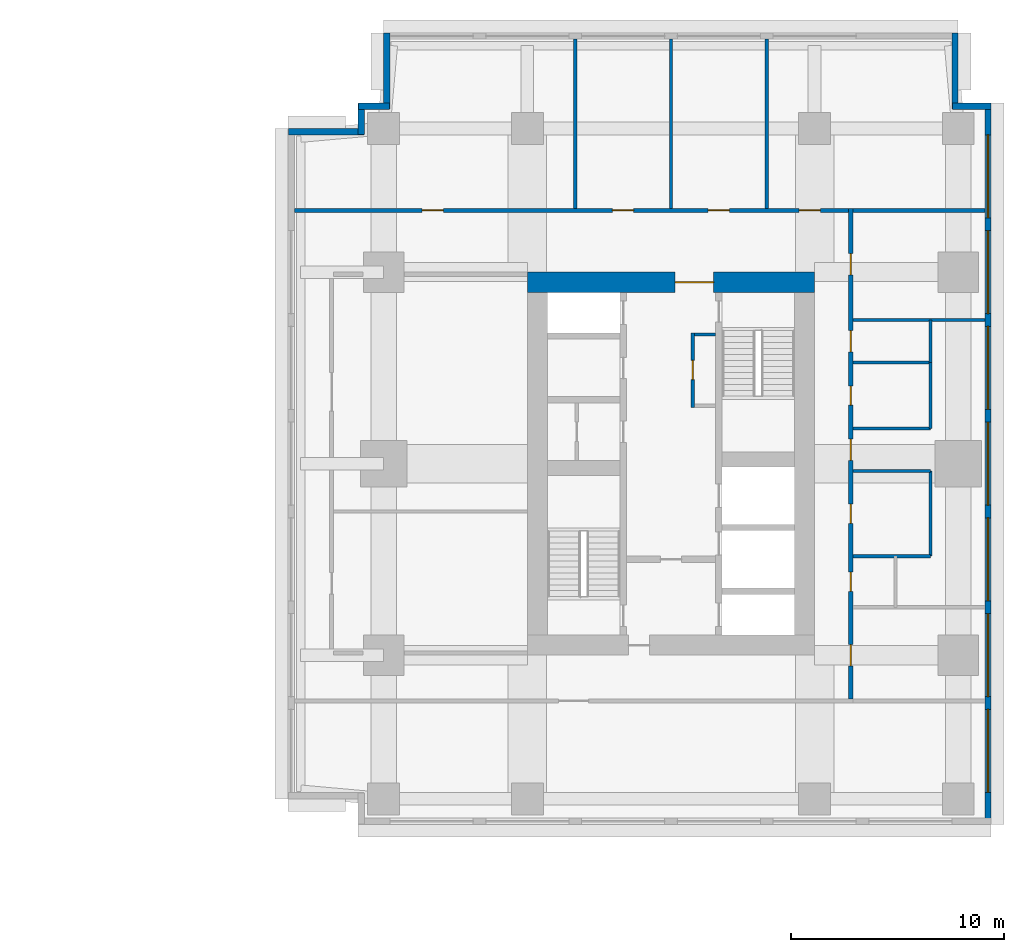
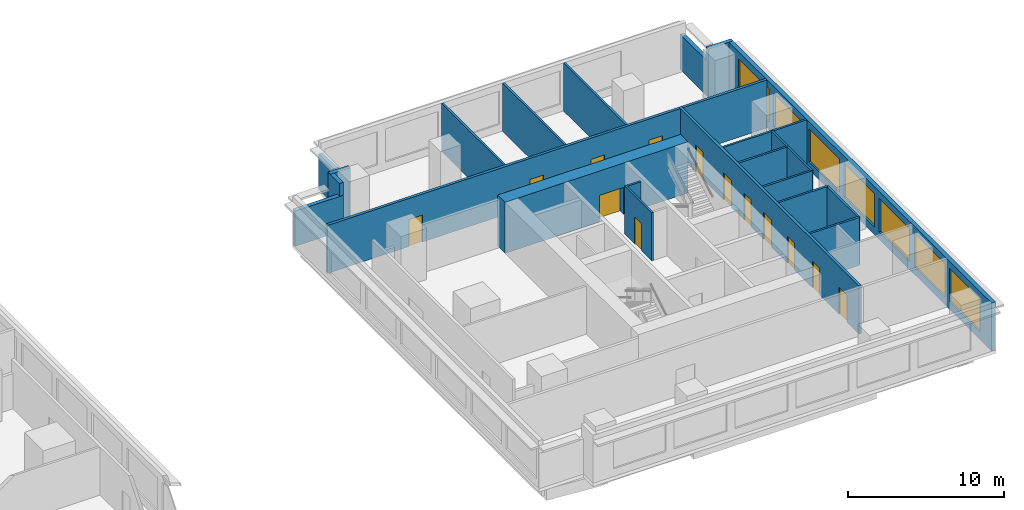
# One storey, part 7 of 10: 24 walls, 13 doors, 7 windows, 20 openings.
"""IFC4 building model written with IfcOpenShell, lengths in metres."""

from ifc_helpers import new_model, si_unit, direction, frame, frame_2d, origin, place, context, subcontext, project, spatial, rectangle, extrude, material, layer, layer_set, type_object, element, fill, save


model = new_model("IFC4")

# Units and contexts
model_context = context("Model", 3, precision=1e-05, world=origin(), true_north=direction((0.0, 1.0)))
body_context = subcontext(model_context, "Body", "Model", "MODEL_VIEW")
ifc_project = project(units=[si_unit("LENGTHUNIT", "METRE"), si_unit("AREAUNIT", "SQUARE_METRE"), si_unit("VOLUMEUNIT", "CUBIC_METRE"), si_unit("PLANEANGLEUNIT", "RADIAN"), si_unit("MASSUNIT", "GRAM", prefix="KILO")], contexts=[model_context])

# Site, building, storey
site_placement = place(None, origin())
site = spatial("IfcSite", under=ifc_project, at=site_placement, CompositionType="ELEMENT")
building_placement = place(site_placement, origin())
building = spatial("IfcBuilding", under=site, at=building_placement, Name="Namib Vertical Campus", CompositionType="ELEMENT")
storey_placement = place(building_placement, frame((0.0, 0.0, 165.0)))
storey = spatial("IfcBuildingStorey", under=building, at=storey_placement, Name="L39", CompositionType="ELEMENT", Elevation=165.0)

# Wall, opening, door
ifc_material_1 = material(Name="Concrete C60/75", Category="concrete")
ifc_layer_1 = layer(ifc_material_1, 0.949951171875)
ifc_layer_set_1 = layer_set([ifc_layer_1], Name="Concrete C60/75")
wall_type_1 = type_object("IfcWallType", Name="Core wall 950", PredefinedType="SHEAR", material=ifc_layer_set_1)
wall_1_placement = place(storey_placement, frame((87.75, 28.77490234375, 0.0), z_axis=(0.0, 0.0, 1.0), x_axis=(-1.0, 0.0, 0.0)))
wall_1 = element("IfcWall", 1, at=wall_1_placement, inside=storey, type_object=wall_type_1, Name="Core wall B L39 3", PredefinedType="SHEAR", context=body_context, shape_type="SweptSolid", body=[
    extrude(rectangle(XDim=13.5, YDim=0.949951171875, at=frame_2d((6.75, 0.0))), origin(), (0.0, 0.0, 1.0), 4.0),
])
opening_1_placement = place(wall_1_placement, frame((4.75, 0.0, 0.0)))
opening_1 = element("IfcOpeningElement", 2, at=opening_1_placement, cuts=wall_1, Name="Opening FD2", PredefinedType="OPENING", context=body_context, shape_type="SweptSolid", body=[
    extrude(rectangle(XDim=1.800048828125, YDim=2.10009765625, at=frame_2d((0.89990234375, 1.050048828125))), frame((0.0, 0.48486328125, 0.0), z_axis=(0.0, -1.0, 0.0), x_axis=(1.0, 0.0, 0.0)), (0.0, 0.0, 1.0), 0.969970703125),
])
ifc_material_2 = material(Name="Steel fire door", Category="steel")
door_type_1 = type_object("IfcDoorType", Name="Fire door double 1800x2100", OperationType="DOUBLE_DOOR_SINGLE_SWING", PredefinedType="DOOR", material=ifc_material_2)
door_1_placement = place(opening_1_placement, origin())
door_1 = element("IfcDoor", 3, at=door_1_placement, inside=storey, type_object=door_type_1, Name="Lift lobby door FD2 B L39", OperationType="DOUBLE_DOOR_SINGLE_SWING", OverallHeight=2.10009765625, OverallWidth=1.800048828125, PredefinedType="DOOR", context=body_context, shape_type="SweptSolid", body=[
    extrude(rectangle(XDim=1.800048828125, YDim=2.10009765625, at=frame_2d((0.89990234375, 1.050048828125))), frame((0.0, 0.02490234375, 0.0), z_axis=(0.0, -1.0, 0.0), x_axis=(1.0, 0.0, 0.0)), (0.0, 0.0, 1.0), 0.050048828125),
])
fill(opening_1, door_1)

# Wall, openings, doors
ifc_material_3 = material(Name="Concrete masonry", Category="masonry")
ifc_layer_2 = layer(ifc_material_3, 0.199951171875)
ifc_layer_set_2 = layer_set([ifc_layer_2], Name="Corridor wall 200")
wall_type_2 = type_object("IfcWallType", Name="Corridor wall 200", PredefinedType="SOLIDWALL", material=ifc_layer_set_2)
wall_2_placement = place(storey_placement, frame((89.449951171875, 9.199951171875, 0.0), z_axis=(0.0, 0.0, 1.0), x_axis=(0.0, 1.0, 0.0)))
wall_2 = element("IfcWall", 4, at=wall_2_placement, inside=storey, type_object=wall_type_2, Name="Corridor wall B L39 CE", PredefinedType="SOLIDWALL", context=body_context, shape_type="SweptSolid", body=[
    extrude(rectangle(XDim=23.050048828125, YDim=0.199951171875, at=frame_2d((11.52490234375, 0.0))), origin(), (0.0, 0.0, 1.0), 3.75),
])
opening_2_placement = place(wall_2_placement, frame((1.550048828125, 0.0, 0.0)))
opening_2 = element("IfcOpeningElement", 5, at=opening_2_placement, cuts=wall_2, Name="Opening CD1", PredefinedType="OPENING", context=body_context, shape_type="SweptSolid", body=[
    extrude(rectangle(XDim=1.0, YDim=2.10009765625, at=frame_2d((0.5, 1.050048828125))), frame((0.0, 0.10986328125, 0.0), z_axis=(0.0, -1.0, 0.0), x_axis=(1.0, 0.0, 0.0)), (0.0, 0.0, 1.0), 0.219970703125),
])
opening_3_placement = place(wall_2_placement, frame((5.050048828125, 0.0, 0.0)))
opening_3 = element("IfcOpeningElement", 6, at=opening_3_placement, cuts=wall_2, Name="Opening CD3", PredefinedType="OPENING", context=body_context, shape_type="SweptSolid", body=[
    extrude(rectangle(XDim=0.89990234375, YDim=2.10009765625, at=frame_2d((0.449951171875, 1.050048828125))), frame((0.0, 0.10986328125, 0.0), z_axis=(0.0, -1.0, 0.0), x_axis=(1.0, 0.0, 0.0)), (0.0, 0.0, 1.0), 0.219970703125),
])
opening_4_placement = place(wall_2_placement, frame((8.25, 0.0, 0.0)))
opening_4 = element("IfcOpeningElement", 7, at=opening_4_placement, cuts=wall_2, Name="Opening CD3", PredefinedType="OPENING", context=body_context, shape_type="SweptSolid", body=[
    extrude(rectangle(XDim=0.89990234375, YDim=2.10009765625, at=frame_2d((0.449951171875, 1.050048828125))), frame((0.0, 0.10986328125, 0.0), z_axis=(0.0, -1.0, 0.0), x_axis=(1.0, 0.0, 0.0)), (0.0, 0.0, 1.0), 0.219970703125),
])
opening_5_placement = place(wall_2_placement, frame((13.800048828125, 0.0, 0.0)))
opening_5 = element("IfcOpeningElement", 8, at=opening_5_placement, cuts=wall_2, Name="Opening CD3", PredefinedType="OPENING", context=body_context, shape_type="SweptSolid", body=[
    extrude(rectangle(XDim=0.89990234375, YDim=2.10009765625, at=frame_2d((0.449951171875, 1.050048828125))), frame((0.0, 0.10986328125, 0.0), z_axis=(0.0, -1.0, 0.0), x_axis=(1.0, 0.0, 0.0)), (0.0, 0.0, 1.0), 0.219970703125),
])
opening_6_placement = place(wall_2_placement, frame((16.300048828125, 0.0, 0.0)))
opening_6 = element("IfcOpeningElement", 9, at=opening_6_placement, cuts=wall_2, Name="Opening CD1", PredefinedType="OPENING", context=body_context, shape_type="SweptSolid", body=[
    extrude(rectangle(XDim=1.0, YDim=2.10009765625, at=frame_2d((0.5, 1.050048828125))), frame((0.0, 0.10986328125, 0.0), z_axis=(0.0, -1.0, 0.0), x_axis=(1.0, 0.0, 0.0)), (0.0, 0.0, 1.0), 0.219970703125),
])
opening_7_placement = place(wall_2_placement, frame((11.199951171875, 0.0, 0.0)))
opening_7 = element("IfcOpeningElement", 10, at=opening_7_placement, cuts=wall_2, Name="Opening CD1", PredefinedType="OPENING", context=body_context, shape_type="SweptSolid", body=[
    extrude(rectangle(XDim=1.0, YDim=2.10009765625, at=frame_2d((0.5, 1.050048828125))), frame((0.0, 0.10986328125, 0.0), z_axis=(0.0, -1.0, 0.0), x_axis=(1.0, 0.0, 0.0)), (0.0, 0.0, 1.0), 0.219970703125),
])
opening_8_placement = place(wall_2_placement, frame((19.925048828125, 0.0, 0.0)))
opening_8 = element("IfcOpeningElement", 11, at=opening_8_placement, cuts=wall_2, Name="Opening CD1", PredefinedType="OPENING", context=body_context, shape_type="SweptSolid", body=[
    extrude(rectangle(XDim=1.0, YDim=2.10009765625, at=frame_2d((0.5, 1.050048828125))), frame((0.0, 0.10986328125, 0.0), z_axis=(0.0, -1.0, 0.0), x_axis=(1.0, 0.0, 0.0)), (0.0, 0.0, 1.0), 0.219970703125),
])
ifc_material_4 = material(Name="Timber fire door leaf", Category="wood")
door_type_2 = type_object("IfcDoorType", Name="Corridor door 1000x2100 20 min", OperationType="SINGLE_SWING_LEFT", PredefinedType="DOOR", material=ifc_material_4)
door_2_placement = place(opening_2_placement, frame((1.0, 0.0, 0.0), z_axis=(0.0, 0.0, 1.0), x_axis=(-1.0, 0.0, 0.0)))
door_2 = element("IfcDoor", 12, at=door_2_placement, inside=storey, type_object=door_type_2, Name="Door CD1 B39-02", OperationType="SINGLE_SWING_RIGHT", OverallHeight=2.10009765625, OverallWidth=1.0, PredefinedType="DOOR", context=body_context, shape_type="SweptSolid", body=[
    extrude(rectangle(XDim=1.0, YDim=2.10009765625, at=frame_2d((0.5, 1.050048828125))), frame((0.0, 0.02490234375, 0.0), z_axis=(0.0, -1.0, 0.0), x_axis=(1.0, 0.0, 0.0)), (0.0, 0.0, 1.0), 0.050048828125),
])
fill(opening_2, door_2)
door_3_placement = place(opening_6_placement, frame((1.0, 0.0, 0.0), z_axis=(0.0, 0.0, 1.0), x_axis=(-1.0, 0.0, 0.0)))
door_3 = element("IfcDoor", 13, at=door_3_placement, inside=storey, type_object=door_type_2, Name="Door CD1 B39-06", OperationType="SINGLE_SWING_RIGHT", OverallHeight=2.10009765625, OverallWidth=1.0, PredefinedType="DOOR", context=body_context, shape_type="SweptSolid", body=[
    extrude(rectangle(XDim=1.0, YDim=2.10009765625, at=frame_2d((0.5, 1.050048828125))), frame((0.0, 0.02490234375, 0.0), z_axis=(0.0, -1.0, 0.0), x_axis=(1.0, 0.0, 0.0)), (0.0, 0.0, 1.0), 0.050048828125),
])
fill(opening_6, door_3)
door_4_placement = place(opening_7_placement, frame((1.0, 0.0, 0.0), z_axis=(0.0, 0.0, 1.0), x_axis=(-1.0, 0.0, 0.0)))
door_4 = element("IfcDoor", 14, at=door_4_placement, inside=storey, type_object=door_type_2, Name="Door CD1 B39-07", OperationType="SINGLE_SWING_RIGHT", OverallHeight=2.10009765625, OverallWidth=1.0, PredefinedType="DOOR", context=body_context, shape_type="SweptSolid", body=[
    extrude(rectangle(XDim=1.0, YDim=2.10009765625, at=frame_2d((0.5, 1.050048828125))), frame((0.0, 0.02490234375, 0.0), z_axis=(0.0, -1.0, 0.0), x_axis=(1.0, 0.0, 0.0)), (0.0, 0.0, 1.0), 0.050048828125),
])
fill(opening_7, door_4)
door_5_placement = place(opening_8_placement, frame((1.0, 0.0, 0.0), z_axis=(0.0, 0.0, 1.0), x_axis=(-1.0, 0.0, 0.0)))
door_5 = element("IfcDoor", 15, at=door_5_placement, inside=storey, type_object=door_type_2, Name="Door CD1 B39-08", OperationType="SINGLE_SWING_RIGHT", OverallHeight=2.10009765625, OverallWidth=1.0, PredefinedType="DOOR", context=body_context, shape_type="SweptSolid", body=[
    extrude(rectangle(XDim=1.0, YDim=2.10009765625, at=frame_2d((0.5, 1.050048828125))), frame((0.0, 0.02490234375, 0.0), z_axis=(0.0, -1.0, 0.0), x_axis=(1.0, 0.0, 0.0)), (0.0, 0.0, 1.0), 0.050048828125),
])
fill(opening_8, door_5)
ifc_material_5 = material(Name="Timber fire door leaf", Category="wood")
door_type_3 = type_object("IfcDoorType", Name="Corridor toilet door 900x2100 20 min", OperationType="SINGLE_SWING_LEFT", PredefinedType="DOOR", material=ifc_material_5)
door_6_placement = place(opening_3_placement, frame((0.89990234375, 0.0, 0.0), z_axis=(0.0, 0.0, 1.0), x_axis=(-1.0, 0.0, 0.0)))
door_6 = element("IfcDoor", 16, at=door_6_placement, inside=storey, type_object=door_type_3, Name="Door CD3 B39-03", OperationType="SINGLE_SWING_RIGHT", OverallHeight=2.10009765625, OverallWidth=0.89990234375, PredefinedType="DOOR", context=body_context, shape_type="SweptSolid", body=[
    extrude(rectangle(XDim=0.89990234375, YDim=2.10009765625, at=frame_2d((0.449951171875, 1.050048828125))), frame((0.0, 0.02490234375, 0.0), z_axis=(0.0, -1.0, 0.0), x_axis=(1.0, 0.0, 0.0)), (0.0, 0.0, 1.0), 0.050048828125),
])
fill(opening_3, door_6)
door_7_placement = place(opening_4_placement, frame((0.89990234375, 0.0, 0.0), z_axis=(0.0, 0.0, 1.0), x_axis=(-1.0, 0.0, 0.0)))
door_7 = element("IfcDoor", 17, at=door_7_placement, inside=storey, type_object=door_type_3, Name="Door CD3 B39-04", OperationType="SINGLE_SWING_RIGHT", OverallHeight=2.10009765625, OverallWidth=0.89990234375, PredefinedType="DOOR", context=body_context, shape_type="SweptSolid", body=[
    extrude(rectangle(XDim=0.89990234375, YDim=2.10009765625, at=frame_2d((0.449951171875, 1.050048828125))), frame((0.0, 0.02490234375, 0.0), z_axis=(0.0, -1.0, 0.0), x_axis=(1.0, 0.0, 0.0)), (0.0, 0.0, 1.0), 0.050048828125),
])
fill(opening_4, door_7)
door_8_placement = place(opening_5_placement, frame((0.89990234375, 0.0, 0.0), z_axis=(0.0, 0.0, 1.0), x_axis=(-1.0, 0.0, 0.0)))
door_8 = element("IfcDoor", 18, at=door_8_placement, inside=storey, type_object=door_type_3, Name="Door CD3 B39-05", OperationType="SINGLE_SWING_RIGHT", OverallHeight=2.10009765625, OverallWidth=0.89990234375, PredefinedType="DOOR", context=body_context, shape_type="SweptSolid", body=[
    extrude(rectangle(XDim=0.89990234375, YDim=2.10009765625, at=frame_2d((0.449951171875, 1.050048828125))), frame((0.0, 0.02490234375, 0.0), z_axis=(0.0, -1.0, 0.0), x_axis=(1.0, 0.0, 0.0)), (0.0, 0.0, 1.0), 0.050048828125),
])
fill(opening_5, door_8)

wall_3_placement = place(storey_placement, frame((89.35009765625, 32.14990234375, 0.0), z_axis=(0.0, 0.0, 1.0), x_axis=(-1.0, 0.0, 0.0)))
wall_3 = element("IfcWall", 19, at=wall_3_placement, inside=storey, type_object=wall_type_2, Name="Corridor wall B L39 CN", PredefinedType="SOLIDWALL", context=body_context, shape_type="SweptSolid", body=[
    extrude(rectangle(XDim=26.050048828125, YDim=0.199951171875, at=frame_2d((13.02490234375, 0.0))), origin(), (0.0, 0.0, 1.0), 3.75),
])
opening_9_placement = place(wall_3_placement, frame((19.050048828125, 0.0, 0.0)))
opening_9 = element("IfcOpeningElement", 20, at=opening_9_placement, cuts=wall_3, Name="Opening CD1", PredefinedType="OPENING", context=body_context, shape_type="SweptSolid", body=[
    extrude(rectangle(XDim=1.0, YDim=2.10009765625, at=frame_2d((0.5, 1.050048828125))), frame((0.0, 0.10986328125, 0.0), z_axis=(0.0, -1.0, 0.0), x_axis=(1.0, 0.0, 0.0)), (0.0, 0.0, 1.0), 0.219970703125),
])
opening_10_placement = place(wall_3_placement, frame((10.10009765625, 0.0, 0.0)))
opening_10 = element("IfcOpeningElement", 21, at=opening_10_placement, cuts=wall_3, Name="Opening CD1", PredefinedType="OPENING", context=body_context, shape_type="SweptSolid", body=[
    extrude(rectangle(XDim=1.0, YDim=2.10009765625, at=frame_2d((0.5, 1.050048828125))), frame((0.0, 0.10986328125, 0.0), z_axis=(0.0, -1.0, 0.0), x_axis=(1.0, 0.0, 0.0)), (0.0, 0.0, 1.0), 0.219970703125),
])
opening_11_placement = place(wall_3_placement, frame((5.60009765625, 0.0, 0.0)))
opening_11 = element("IfcOpeningElement", 22, at=opening_11_placement, cuts=wall_3, Name="Opening CD1", PredefinedType="OPENING", context=body_context, shape_type="SweptSolid", body=[
    extrude(rectangle(XDim=1.0, YDim=2.10009765625, at=frame_2d((0.5, 1.050048828125))), frame((0.0, 0.10986328125, 0.0), z_axis=(0.0, -1.0, 0.0), x_axis=(1.0, 0.0, 0.0)), (0.0, 0.0, 1.0), 0.219970703125),
])
opening_12_placement = place(wall_3_placement, frame((1.324951171875, 0.0, 0.0)))
opening_12 = element("IfcOpeningElement", 23, at=opening_12_placement, cuts=wall_3, Name="Opening CD1", PredefinedType="OPENING", context=body_context, shape_type="SweptSolid", body=[
    extrude(rectangle(XDim=1.0, YDim=2.10009765625, at=frame_2d((0.5, 1.050048828125))), frame((0.0, 0.10986328125, 0.0), z_axis=(0.0, -1.0, 0.0), x_axis=(1.0, 0.0, 0.0)), (0.0, 0.0, 1.0), 0.219970703125),
])
door_9_placement = place(opening_9_placement, frame((1.0, 0.0, 0.0), z_axis=(0.0, 0.0, 1.0), x_axis=(-1.0, 0.0, 0.0)))
door_9 = element("IfcDoor", 24, at=door_9_placement, inside=storey, type_object=door_type_2, Name="Door CD1 B39-09", OperationType="SINGLE_SWING_RIGHT", OverallHeight=2.10009765625, OverallWidth=1.0, PredefinedType="DOOR", context=body_context, shape_type="SweptSolid", body=[
    extrude(rectangle(XDim=1.0, YDim=2.10009765625, at=frame_2d((0.5, 1.050048828125))), frame((0.0, 0.02490234375, 0.0), z_axis=(0.0, -1.0, 0.0), x_axis=(1.0, 0.0, 0.0)), (0.0, 0.0, 1.0), 0.050048828125),
])
fill(opening_9, door_9)
door_10_placement = place(opening_10_placement, frame((1.0, 0.0, 0.0), z_axis=(0.0, 0.0, 1.0), x_axis=(-1.0, 0.0, 0.0)))
door_10 = element("IfcDoor", 25, at=door_10_placement, inside=storey, type_object=door_type_2, Name="Door CD1 B39-10", OperationType="SINGLE_SWING_RIGHT", OverallHeight=2.10009765625, OverallWidth=1.0, PredefinedType="DOOR", context=body_context, shape_type="SweptSolid", body=[
    extrude(rectangle(XDim=1.0, YDim=2.10009765625, at=frame_2d((0.5, 1.050048828125))), frame((0.0, 0.02490234375, 0.0), z_axis=(0.0, -1.0, 0.0), x_axis=(1.0, 0.0, 0.0)), (0.0, 0.0, 1.0), 0.050048828125),
])
fill(opening_10, door_10)
door_11_placement = place(opening_11_placement, frame((1.0, 0.0, 0.0), z_axis=(0.0, 0.0, 1.0), x_axis=(-1.0, 0.0, 0.0)))
door_11 = element("IfcDoor", 26, at=door_11_placement, inside=storey, type_object=door_type_2, Name="Door CD1 B39-11", OperationType="SINGLE_SWING_RIGHT", OverallHeight=2.10009765625, OverallWidth=1.0, PredefinedType="DOOR", context=body_context, shape_type="SweptSolid", body=[
    extrude(rectangle(XDim=1.0, YDim=2.10009765625, at=frame_2d((0.5, 1.050048828125))), frame((0.0, 0.02490234375, 0.0), z_axis=(0.0, -1.0, 0.0), x_axis=(1.0, 0.0, 0.0)), (0.0, 0.0, 1.0), 0.050048828125),
])
fill(opening_11, door_11)
door_12_placement = place(opening_12_placement, frame((1.0, 0.0, 0.0), z_axis=(0.0, 0.0, 1.0), x_axis=(-1.0, 0.0, 0.0)))
door_12 = element("IfcDoor", 27, at=door_12_placement, inside=storey, type_object=door_type_2, Name="Door CD1 B39-12", OperationType="SINGLE_SWING_LEFT", OverallHeight=2.10009765625, OverallWidth=1.0, PredefinedType="DOOR", context=body_context, shape_type="SweptSolid", body=[
    extrude(rectangle(XDim=1.0, YDim=2.10009765625, at=frame_2d((0.5, 1.050048828125))), frame((0.0, 0.02490234375, 0.0), z_axis=(0.0, -1.0, 0.0), x_axis=(1.0, 0.0, 0.0)), (0.0, 0.0, 1.0), 0.050048828125),
])
fill(opening_12, door_12)

# Wall
wall_4_placement = place(storey_placement, frame((89.550048828125, 32.14990234375, 0.0), z_axis=(0.0, 0.0, 1.0), x_axis=(1.0, 0.0, 0.0)))
element("IfcWall", 28, at=wall_4_placement, inside=storey, type_object=wall_type_2, Name="Partition B L39 BNE", PredefinedType="SOLIDWALL", context=body_context, shape_type="SweptSolid", body=[
    extrude(rectangle(XDim=6.199951171875, YDim=0.199951171875, at=frame_2d((3.10009765625, 0.0))), origin(), (0.0, 0.0, 1.0), 3.75),
])

# Wall, openings, windows
ifc_material_6 = material(Name="Concrete C40/50", Category="concrete")
ifc_layer_3 = layer(ifc_material_6, 0.300048828125)
ifc_layer_set_3 = layer_set([ifc_layer_3], Name="Concrete C40/50")
wall_type_3 = type_object("IfcWallType", Name="External wall 300 board-marked concrete", PredefinedType="STANDARD", material=ifc_layer_set_3)
wall_5_placement = place(storey_placement, frame((95.89990234375, 3.320068359375, 0.0), z_axis=(0.0, 0.0, 1.0), x_axis=(0.0, 1.0, 0.0)))
wall_5 = element("IfcWall", 29, at=wall_5_placement, inside=storey, type_object=wall_type_3, Name="External wall L39 F04", PredefinedType="STANDARD", context=body_context, shape_type="SweptSolid", body=[
    extrude(rectangle(XDim=33.85986328125, YDim=0.300048828125, at=frame_2d((16.929931640625, 0.0))), origin(), (0.0, 0.0, 1.0), 3.75),
])
opening_13_placement = place(wall_5_placement, frame((1.47998046875, 0.0, 0.60009765625)))
opening_13 = element("IfcOpeningElement", 30, at=opening_13_placement, cuts=wall_5, Name="Opening W2", PredefinedType="OPENING", context=body_context, shape_type="SweptSolid", body=[
    extrude(rectangle(XDim=3.89990234375, YDim=2.60009765625, at=frame_2d((1.949951171875, 1.300048828125))), frame((0.0, 0.159912109375, 0.0), z_axis=(0.0, -1.0, 0.0), x_axis=(1.0, 0.0, 0.0)), (0.0, 0.0, 1.0), 0.320068359375),
])
opening_14_placement = place(wall_5_placement, frame((5.97998046875, 0.0, 0.60009765625)))
opening_14 = element("IfcOpeningElement", 31, at=opening_14_placement, cuts=wall_5, Name="Opening W2", PredefinedType="OPENING", context=body_context, shape_type="SweptSolid", body=[
    extrude(rectangle(XDim=3.89990234375, YDim=2.60009765625, at=frame_2d((1.949951171875, 1.300048828125))), frame((0.0, 0.159912109375, 0.0), z_axis=(0.0, -1.0, 0.0), x_axis=(1.0, 0.0, 0.0)), (0.0, 0.0, 1.0), 0.320068359375),
])
opening_15_placement = place(wall_5_placement, frame((10.47998046875, 0.0, 0.60009765625)))
opening_15 = element("IfcOpeningElement", 32, at=opening_15_placement, cuts=wall_5, Name="Opening W2", PredefinedType="OPENING", context=body_context, shape_type="SweptSolid", body=[
    extrude(rectangle(XDim=3.89990234375, YDim=2.60009765625, at=frame_2d((1.949951171875, 1.300048828125))), frame((0.0, 0.159912109375, 0.0), z_axis=(0.0, -1.0, 0.0), x_axis=(1.0, 0.0, 0.0)), (0.0, 0.0, 1.0), 0.320068359375),
])
opening_16_placement = place(wall_5_placement, frame((14.97998046875, 0.0, 0.60009765625)))
opening_16 = element("IfcOpeningElement", 33, at=opening_16_placement, cuts=wall_5, Name="Opening W2", PredefinedType="OPENING", context=body_context, shape_type="SweptSolid", body=[
    extrude(rectangle(XDim=3.89990234375, YDim=2.60009765625, at=frame_2d((1.949951171875, 1.300048828125))), frame((0.0, 0.159912109375, 0.0), z_axis=(0.0, -1.0, 0.0), x_axis=(1.0, 0.0, 0.0)), (0.0, 0.0, 1.0), 0.320068359375),
])
opening_17_placement = place(wall_5_placement, frame((19.47998046875, 0.0, 0.60009765625)))
opening_17 = element("IfcOpeningElement", 34, at=opening_17_placement, cuts=wall_5, Name="Opening W2", PredefinedType="OPENING", context=body_context, shape_type="SweptSolid", body=[
    extrude(rectangle(XDim=3.89990234375, YDim=2.60009765625, at=frame_2d((1.949951171875, 1.300048828125))), frame((0.0, 0.159912109375, 0.0), z_axis=(0.0, -1.0, 0.0), x_axis=(1.0, 0.0, 0.0)), (0.0, 0.0, 1.0), 0.320068359375),
])
opening_18_placement = place(wall_5_placement, frame((23.97998046875, 0.0, 0.60009765625)))
opening_18 = element("IfcOpeningElement", 35, at=opening_18_placement, cuts=wall_5, Name="Opening W2", PredefinedType="OPENING", context=body_context, shape_type="SweptSolid", body=[
    extrude(rectangle(XDim=3.89990234375, YDim=2.60009765625, at=frame_2d((1.949951171875, 1.300048828125))), frame((0.0, 0.159912109375, 0.0), z_axis=(0.0, -1.0, 0.0), x_axis=(1.0, 0.0, 0.0)), (0.0, 0.0, 1.0), 0.320068359375),
])
opening_19_placement = place(wall_5_placement, frame((28.47998046875, 0.0, 0.60009765625)))
opening_19 = element("IfcOpeningElement", 36, at=opening_19_placement, cuts=wall_5, Name="Opening W2", PredefinedType="OPENING", context=body_context, shape_type="SweptSolid", body=[
    extrude(rectangle(XDim=3.89990234375, YDim=2.60009765625, at=frame_2d((1.949951171875, 1.300048828125))), frame((0.0, 0.159912109375, 0.0), z_axis=(0.0, -1.0, 0.0), x_axis=(1.0, 0.0, 0.0)), (0.0, 0.0, 1.0), 0.320068359375),
])
ifc_material_7 = material(Name="Dark tinted glass in black aluminium frame", Category="aluminium")
window_type = type_object("IfcWindowType", Name="Ribbon window 3900x2600", PartitioningType="SINGLE_PANEL", PredefinedType="WINDOW", material=ifc_material_7)
window_1_placement = place(opening_13_placement, origin())
window_1 = element("IfcWindow", 37, at=window_1_placement, inside=storey, type_object=window_type, Name="Window W2 L39 F04-1", OverallHeight=2.60009765625, OverallWidth=3.89990234375, PartitioningType="SINGLE_PANEL", PredefinedType="WINDOW", context=body_context, shape_type="SweptSolid", body=[
    extrude(rectangle(XDim=3.89990234375, YDim=2.60009765625, at=frame_2d((1.949951171875, 1.300048828125))), frame((0.0, 0.030029296875, 0.0), z_axis=(0.0, -1.0, 0.0), x_axis=(1.0, 0.0, 0.0)), (0.0, 0.0, 1.0), 0.06005859375),
])
fill(opening_13, window_1)
window_2_placement = place(opening_14_placement, origin())
window_2 = element("IfcWindow", 38, at=window_2_placement, inside=storey, type_object=window_type, Name="Window W2 L39 F04-2", OverallHeight=2.60009765625, OverallWidth=3.89990234375, PartitioningType="SINGLE_PANEL", PredefinedType="WINDOW", context=body_context, shape_type="SweptSolid", body=[
    extrude(rectangle(XDim=3.89990234375, YDim=2.60009765625, at=frame_2d((1.949951171875, 1.300048828125))), frame((0.0, 0.030029296875, 0.0), z_axis=(0.0, -1.0, 0.0), x_axis=(1.0, 0.0, 0.0)), (0.0, 0.0, 1.0), 0.06005859375),
])
fill(opening_14, window_2)
window_3_placement = place(opening_15_placement, origin())
window_3 = element("IfcWindow", 39, at=window_3_placement, inside=storey, type_object=window_type, Name="Window W2 L39 F04-3", OverallHeight=2.60009765625, OverallWidth=3.89990234375, PartitioningType="SINGLE_PANEL", PredefinedType="WINDOW", context=body_context, shape_type="SweptSolid", body=[
    extrude(rectangle(XDim=3.89990234375, YDim=2.60009765625, at=frame_2d((1.949951171875, 1.300048828125))), frame((0.0, 0.030029296875, 0.0), z_axis=(0.0, -1.0, 0.0), x_axis=(1.0, 0.0, 0.0)), (0.0, 0.0, 1.0), 0.06005859375),
])
fill(opening_15, window_3)
window_4_placement = place(opening_16_placement, origin())
window_4 = element("IfcWindow", 40, at=window_4_placement, inside=storey, type_object=window_type, Name="Window W2 L39 F04-4", OverallHeight=2.60009765625, OverallWidth=3.89990234375, PartitioningType="SINGLE_PANEL", PredefinedType="WINDOW", context=body_context, shape_type="SweptSolid", body=[
    extrude(rectangle(XDim=3.89990234375, YDim=2.60009765625, at=frame_2d((1.949951171875, 1.300048828125))), frame((0.0, 0.030029296875, 0.0), z_axis=(0.0, -1.0, 0.0), x_axis=(1.0, 0.0, 0.0)), (0.0, 0.0, 1.0), 0.06005859375),
])
fill(opening_16, window_4)
window_5_placement = place(opening_17_placement, origin())
window_5 = element("IfcWindow", 41, at=window_5_placement, inside=storey, type_object=window_type, Name="Window W2 L39 F04-5", OverallHeight=2.60009765625, OverallWidth=3.89990234375, PartitioningType="SINGLE_PANEL", PredefinedType="WINDOW", context=body_context, shape_type="SweptSolid", body=[
    extrude(rectangle(XDim=3.89990234375, YDim=2.60009765625, at=frame_2d((1.949951171875, 1.300048828125))), frame((0.0, 0.030029296875, 0.0), z_axis=(0.0, -1.0, 0.0), x_axis=(1.0, 0.0, 0.0)), (0.0, 0.0, 1.0), 0.06005859375),
])
fill(opening_17, window_5)
window_6_placement = place(opening_18_placement, origin())
window_6 = element("IfcWindow", 42, at=window_6_placement, inside=storey, type_object=window_type, Name="Window W2 L39 F04-6", OverallHeight=2.60009765625, OverallWidth=3.89990234375, PartitioningType="SINGLE_PANEL", PredefinedType="WINDOW", context=body_context, shape_type="SweptSolid", body=[
    extrude(rectangle(XDim=3.89990234375, YDim=2.60009765625, at=frame_2d((1.949951171875, 1.300048828125))), frame((0.0, 0.030029296875, 0.0), z_axis=(0.0, -1.0, 0.0), x_axis=(1.0, 0.0, 0.0)), (0.0, 0.0, 1.0), 0.06005859375),
])
fill(opening_18, window_6)
window_7_placement = place(opening_19_placement, origin())
window_7 = element("IfcWindow", 43, at=window_7_placement, inside=storey, type_object=window_type, Name="Window W2 L39 F04-7", OverallHeight=2.60009765625, OverallWidth=3.89990234375, PartitioningType="SINGLE_PANEL", PredefinedType="WINDOW", context=body_context, shape_type="SweptSolid", body=[
    extrude(rectangle(XDim=3.89990234375, YDim=2.60009765625, at=frame_2d((1.949951171875, 1.300048828125))), frame((0.0, 0.030029296875, 0.0), z_axis=(0.0, -1.0, 0.0), x_axis=(1.0, 0.0, 0.0)), (0.0, 0.0, 1.0), 0.06005859375),
])
fill(opening_19, window_7)

# Walls
wall_6_placement = place(storey_placement, frame((96.030029296875, 37.050048828125, 0.0), z_axis=(0.0, 0.0, 1.0), x_axis=(-1.0, 0.0, 0.0)))
element("IfcWall", 44, at=wall_6_placement, inside=storey, type_object=wall_type_3, Name="External wall L39 F05", PredefinedType="STANDARD", context=body_context, shape_type="SweptSolid", body=[
    extrude(rectangle(XDim=1.81005859375, YDim=0.300048828125, at=frame_2d((0.905029296875, 0.0))), origin(), (0.0, 0.0, 1.0), 3.75),
])
for number, where, z_axis, x_axis, name in (
    (45, (94.35009765625, 36.919921875, 0.0), (0.0, 0.0, 1.0), (0.0, 1.0, 0.0), "External wall L39 F06"),
    (46, (67.64990234375, 40.47998046875, 0.0), (0.0, 0.0, 1.0), (0.0, -1.0, 0.0), "External wall L39 F08"),
):
    element("IfcWall", number, at=place(storey_placement, frame(where, z_axis=z_axis, x_axis=x_axis)), inside=storey, type_object=wall_type_3, Name=name, PredefinedType="STANDARD", context=body_context, shape_type="SweptSolid", body=[
        extrude(rectangle(XDim=3.56005859375, YDim=0.300048828125, at=frame_2d((1.780029296875, 0.0))), origin(), (0.0, 0.0, 1.0), 2.75),
    ])
for number, where, z_axis, x_axis, name in (
    (47, (67.780029296875, 37.050048828125, 0.0), (0.0, 0.0, 1.0), (-1.0, 0.0, 0.0), "External wall L39 F09"),
    (48, (66.449951171875, 37.179931640625, 0.0), (0.0, 0.0, 1.0), (0.0, -1.0, 0.0), "External wall L39 F10"),
):
    element("IfcWall", number, at=place(storey_placement, frame(where, z_axis=z_axis, x_axis=x_axis)), inside=storey, type_object=wall_type_3, Name=name, PredefinedType="STANDARD", context=body_context, shape_type="SweptSolid", body=[
        extrude(rectangle(XDim=1.4599609375, YDim=0.300048828125, at=frame_2d((0.72998046875, 0.0))), origin(), (0.0, 0.0, 1.0), 3.75),
    ])
wall_7_placement = place(storey_placement, frame((66.580078125, 35.85009765625, 0.0), z_axis=(0.0, 0.0, 1.0), x_axis=(-1.0, 0.0, 0.0)))
element("IfcWall", 49, at=wall_7_placement, inside=storey, type_object=wall_type_3, Name="External wall L39 F11", PredefinedType="STANDARD", context=body_context, shape_type="SweptSolid", body=[
    extrude(rectangle(XDim=3.56005859375, YDim=0.300048828125, at=frame_2d((1.780029296875, 0.0))), origin(), (0.0, 0.0, 1.0), 2.75),
])

# Wall, opening, door
ifc_material_8 = material(Name="Gypsum board on steel studs", Category="steel")
ifc_layer_4 = layer(ifc_material_8, 0.14990234375)
ifc_layer_set_4 = layer_set([ifc_layer_4], Name="Gypsum board on steel studs")
wall_type_4 = type_object("IfcWallType", Name="Partition 150", PredefinedType="PARTITIONING", material=ifc_layer_set_4)
wall_8_placement = place(storey_placement, frame((82.02490234375, 22.89990234375, 0.0), z_axis=(0.0, 0.0, 1.0), x_axis=(0.0, 1.0, 0.0)))
wall_8 = element("IfcWall", 50, at=wall_8_placement, inside=storey, type_object=wall_type_4, Name="Partition B L39 Staff pantry front", PredefinedType="PARTITIONING", context=body_context, shape_type="SweptSolid", body=[
    extrude(rectangle(XDim=3.5, YDim=0.14990234375, at=frame_2d((1.75, 0.0))), origin(), (0.0, 0.0, 1.0), 3.75),
])
opening_20_placement = place(wall_8_placement, frame((1.300048828125, 0.0, 0.0)))
opening_20 = element("IfcOpeningElement", 51, at=opening_20_placement, cuts=wall_8, Name="Opening D3", PredefinedType="OPENING", context=body_context, shape_type="SweptSolid", body=[
    extrude(rectangle(XDim=0.89990234375, YDim=2.10009765625, at=frame_2d((0.449951171875, 1.050048828125))), frame((0.0, 0.0849609375, 0.0), z_axis=(0.0, -1.0, 0.0), x_axis=(1.0, 0.0, 0.0)), (0.0, 0.0, 1.0), 0.169921875),
])
ifc_material_9 = material(Name="Timber door leaf", Category="wood")
door_type_4 = type_object("IfcDoorType", Name="Toilet door 900x2100", OperationType="SINGLE_SWING_LEFT", PredefinedType="DOOR", material=ifc_material_9)
door_13_placement = place(opening_20_placement, frame((0.89990234375, 0.0, 0.0), z_axis=(0.0, 0.0, 1.0), x_axis=(-1.0, 0.0, 0.0)))
door_13 = element("IfcDoor", 52, at=door_13_placement, inside=storey, type_object=door_type_4, Name="Door D3 Staff pantry B L39", OperationType="SINGLE_SWING_RIGHT", OverallHeight=2.10009765625, OverallWidth=0.89990234375, PredefinedType="DOOR", context=body_context, shape_type="SweptSolid", body=[
    extrude(rectangle(XDim=0.89990234375, YDim=2.10009765625, at=frame_2d((0.449951171875, 1.050048828125))), frame((0.0, 0.02490234375, 0.0), z_axis=(0.0, -1.0, 0.0), x_axis=(1.0, 0.0, 0.0)), (0.0, 0.0, 1.0), 0.050048828125),
])
fill(opening_20, door_13)

# Walls
wall_9_placement = place(storey_placement, frame((82.10009765625, 26.324951171875, 0.0), z_axis=(0.0, 0.0, 1.0), x_axis=(1.0, 0.0, 0.0)))
element("IfcWall", 53, at=wall_9_placement, inside=storey, type_object=wall_type_4, Name="Partition B L39 Staff pantry end 2", PredefinedType="PARTITIONING", context=body_context, shape_type="SweptSolid", body=[
    extrude(rectangle(XDim=1.0, YDim=0.14990234375, at=frame_2d((0.5, 0.0))), origin(), (0.0, 0.0, 1.0), 3.75),
])
for number, where, z_axis, x_axis, name in (
    (54, (76.5, 32.25, 0.0), (0.0, 0.0, 1.0), (0.0, 1.0, 0.0), "Partition B L39 PN1"),
    (55, (81.0, 32.25, 0.0), (0.0, 0.0, 1.0), (0.0, 1.0, 0.0), "Partition B L39 PN2"),
    (56, (85.5, 32.25, 0.0), (0.0, 0.0, 1.0), (0.0, 1.0, 0.0), "Partition B L39 PN3"),
):
    element("IfcWall", number, at=place(storey_placement, frame(where, z_axis=z_axis, x_axis=x_axis)), inside=storey, type_object=wall_type_4, Name=name, PredefinedType="PARTITIONING", context=body_context, shape_type="SweptSolid", body=[
        extrude(rectangle(XDim=7.949951171875, YDim=0.14990234375, at=frame_2d((3.97509765625, 0.0))), origin(), (0.0, 0.0, 1.0), 3.75),
    ])
wall_10_placement = place(storey_placement, frame((89.550048828125, 27.0, 0.0), z_axis=(0.0, 0.0, 1.0), x_axis=(1.0, 0.0, 0.0)))
element("IfcWall", 57, at=wall_10_placement, inside=storey, type_object=wall_type_4, Name="Partition B L39 PE2", PredefinedType="PARTITIONING", context=body_context, shape_type="SweptSolid", body=[
    extrude(rectangle(XDim=6.199951171875, YDim=0.14990234375, at=frame_2d((3.10009765625, 0.0))), origin(), (0.0, 0.0, 1.0), 3.75),
])
for number, where, z_axis, x_axis, name in (
    (58, (89.550048828125, 15.89990234375, 0.0), (0.0, 0.0, 1.0), (1.0, 0.0, 0.0), "Partition B L39 WR1"),
    (59, (89.550048828125, 19.89990234375, 0.0), (0.0, 0.0, 1.0), (1.0, 0.0, 0.0), "Partition B L39 WR2"),
    (60, (89.550048828125, 21.89990234375, 0.0), (0.0, 0.0, 1.0), (1.0, 0.0, 0.0), "Partition B L39 WR3"),
    (61, (89.550048828125, 25.0, 0.0), (0.0, 0.0, 1.0), (1.0, 0.0, 0.0), "Partition B L39 WR4"),
):
    element("IfcWall", number, at=place(storey_placement, frame(where, z_axis=z_axis, x_axis=x_axis)), inside=storey, type_object=wall_type_4, Name=name, PredefinedType="PARTITIONING", context=body_context, shape_type="SweptSolid", body=[
        extrude(rectangle(XDim=3.64990234375, YDim=0.14990234375, at=frame_2d((1.824951171875, 0.0))), origin(), (0.0, 0.0, 1.0), 3.75),
    ])
wall_11_placement = place(storey_placement, frame((93.199951171875, 15.89990234375, 0.0), z_axis=(0.0, 0.0, 1.0), x_axis=(0.0, 1.0, 0.0)))
element("IfcWall", 62, at=wall_11_placement, inside=storey, type_object=wall_type_4, Name="Partition B L39 WB2", PredefinedType="PARTITIONING", context=body_context, shape_type="SweptSolid", body=[
    extrude(rectangle(XDim=4.0, YDim=0.14990234375, at=frame_2d((2.0, 0.0))), origin(), (0.0, 0.0, 1.0), 3.75),
])
wall_12_placement = place(storey_placement, frame((93.199951171875, 21.89990234375, 0.0), z_axis=(0.0, 0.0, 1.0), x_axis=(0.0, 1.0, 0.0)))
element("IfcWall", 63, at=wall_12_placement, inside=storey, type_object=wall_type_4, Name="Partition B L39 WB3", PredefinedType="PARTITIONING", context=body_context, shape_type="SweptSolid", body=[
    extrude(rectangle(XDim=3.10009765625, YDim=0.14990234375, at=frame_2d((1.550048828125, 0.0))), origin(), (0.0, 0.0, 1.0), 3.75),
])
wall_13_placement = place(storey_placement, frame((93.199951171875, 25.0, 0.0), z_axis=(0.0, 0.0, 1.0), x_axis=(0.0, 1.0, 0.0)))
element("IfcWall", 64, at=wall_13_placement, inside=storey, type_object=wall_type_4, Name="Partition B L39 WB4", PredefinedType="PARTITIONING", context=body_context, shape_type="SweptSolid", body=[
    extrude(rectangle(XDim=2.0, YDim=0.14990234375, at=frame_2d((1.0, 0.0))), origin(), (0.0, 0.0, 1.0), 3.75),
])

save(model, "model.ifc")
